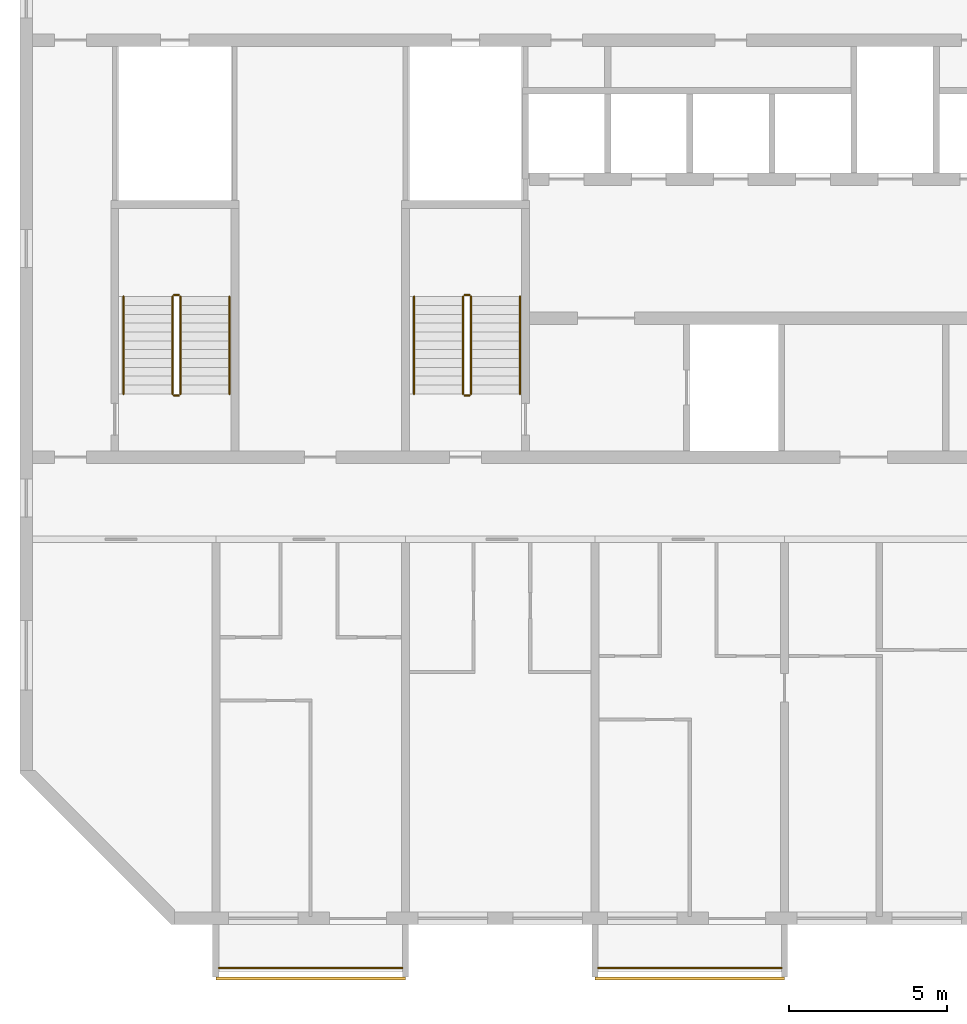
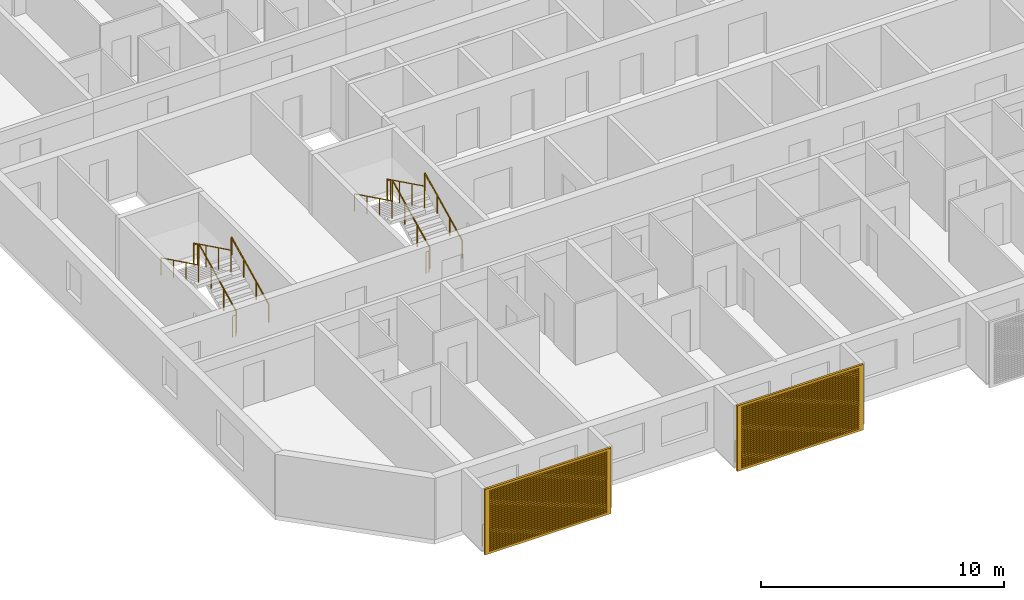
# One storey, part 13 of 27: 14 railings, 2 shading devices.
"""IFC4 building model written with IfcOpenShell, lengths in metres."""

from ifc_helpers import new_model, si_unit, direction, frame, origin, origin_2d, place, context, subcontext, project, spatial, polyline, circle, outline, extrude, source, transform, mapped, material, material_profile, profile_set, type_object, element, save


model = new_model("IFC4")

# Units and contexts
model_context = context("Model", 3, precision=1e-05, world=origin(), true_north=direction((0.0, 1.0)))
body_context = subcontext(model_context, "Body", "Model", "MODEL_VIEW")
ifc_project = project(units=[si_unit("LENGTHUNIT", "METRE"), si_unit("AREAUNIT", "SQUARE_METRE"), si_unit("VOLUMEUNIT", "CUBIC_METRE"), si_unit("PLANEANGLEUNIT", "RADIAN"), si_unit("MASSUNIT", "GRAM", prefix="KILO")], contexts=[model_context])

# Site, building, storey
site_placement = place(None, origin())
site = spatial("IfcSite", under=ifc_project, at=site_placement, CompositionType="ELEMENT")
building_placement = place(site_placement, origin())
building = spatial("IfcBuilding", under=site, at=building_placement, Name="Poui Terraces", CompositionType="ELEMENT")
storey_placement = place(building_placement, frame((0.0, 0.0, 195.0)))
storey = spatial("IfcBuildingStorey", under=building, at=storey_placement, Name="L54", CompositionType="ELEMENT", Elevation=195.0)

# Railings
ifc_material_1 = material(Name="Painted steel fretwork", Category="steel")
railing_type_1 = type_object("IfcRailingType", Name="BALCONY GUARD 1100", PredefinedType="GUARDRAIL", material=ifc_material_1)
for number, where, name in (
    (1, (24.10009765625, -1.570068359375, 0.0), "BALCONY GUARD"),
    (2, (36.10009765625, -1.570068359375, 0.0), "BALCONY GUARD"),
):
    element("IfcRailing", number, at=place(storey_placement, frame(where)), inside=storey, type_object=railing_type_1, Name=name, PredefinedType="GUARDRAIL", context=body_context, shape_type="SweptSolid", body=[
        extrude(circle(Radius=0.02392578125, at=origin_2d()), frame((0.0, 0.0, 1.076171875), z_axis=(1.0, 0.0, 0.0), x_axis=(0.0, 1.0, 0.0)), (0.0, 0.0, 1.0), 5.7998046875),
        extrude(circle(Radius=0.02099609375, at=origin_2d()), origin(), (0.0, 0.0, 1.0), 1.052001953125),
        extrude(circle(Radius=0.02099609375, at=origin_2d()), frame((0.966552734375, 0.0, 0.0)), (0.0, 0.0, 1.0), 1.052001953125),
        extrude(circle(Radius=0.02099609375, at=origin_2d()), frame((1.933349609375, 0.0, 0.0)), (0.0, 0.0, 1.0), 1.052001953125),
        extrude(circle(Radius=0.02099609375, at=origin_2d()), frame((2.89990234375, 0.0, 0.0)), (0.0, 0.0, 1.0), 1.052001953125),
        extrude(circle(Radius=0.02099609375, at=origin_2d()), frame((3.866455078125, 0.0, 0.0)), (0.0, 0.0, 1.0), 1.052001953125),
        extrude(circle(Radius=0.02099609375, at=origin_2d()), frame((4.833251953125, 0.0, 0.0)), (0.0, 0.0, 1.0), 1.052001953125),
        extrude(circle(Radius=0.02099609375, at=origin_2d()), frame((5.7998046875, 0.0, 0.0)), (0.0, 0.0, 1.0), 1.052001953125),
    ])
ifc_material_2 = material(Name="Galvanised steel balustrade", Category="steel")
railing_type_2 = type_object("IfcRailingType", Name="STAIR GUARD 1100", PredefinedType="GUARDRAIL", material=ifc_material_2)
railing_1_placement = place(storey_placement, frame((32.074951171875, 16.60009765625, 0.137451171875)))
element("IfcRailing", 3, at=railing_1_placement, inside=storey, type_object=railing_type_2, Name="L54 ST-CW stair guard 1", PredefinedType="GUARDRAIL", context=body_context, shape_type="SweptSolid", body=[
    extrude(circle(Radius=0.02392578125, at=origin_2d()), frame((0.0, 0.0, 1.076171875), z_axis=(0.0, 0.897606190399, 0.440798283751), x_axis=(-1.0, 0.0, 0.0)), (0.0, 0.0, 1.0), 3.43115234375),
    extrude(circle(Radius=0.02099609375, at=origin_2d()), origin(), (0.0, 0.0, 1.0), 1.052001953125),
    extrude(circle(Radius=0.02099609375, at=origin_2d()), frame((0.0, 1.026611328125, 0.504150390625)), (0.0, 0.0, 1.0), 1.052001953125),
    extrude(circle(Radius=0.02099609375, at=origin_2d()), frame((0.0, 2.05322265625, 1.00830078125)), (0.0, 0.0, 1.0), 1.052001953125),
    extrude(circle(Radius=0.02099609375, at=origin_2d()), frame((0.0, 3.079833984375, 1.512451171875)), (0.0, 0.0, 1.0), 1.052001953125),
])
railing_2_placement = place(storey_placement, frame((32.02490234375, 19.72998046875, 1.64990234375)))
element("IfcRailing", 4, at=railing_2_placement, inside=storey, type_object=railing_type_2, Name="L54 ST-CW stair guard 2", PredefinedType="GUARDRAIL", context=body_context, shape_type="SweptSolid", body=[
    extrude(circle(Radius=0.02392578125, at=origin_2d()), frame((0.0, 0.0, 1.076171875), z_axis=(-1.0, 0.0, 0.0), x_axis=(0.0, -1.0, 0.0)), (0.0, 0.0, 1.0), 0.14990234375),
    extrude(circle(Radius=0.02099609375, at=origin_2d()), origin(), (0.0, 0.0, 1.0), 1.052001953125),
    extrude(circle(Radius=0.02099609375, at=origin_2d()), frame((-0.14990234375, 0.0, 0.0)), (0.0, 0.0, 1.0), 1.052001953125),
])
railing_3_placement = place(storey_placement, frame((31.824951171875, 19.679931640625, 1.78759765625)))
element("IfcRailing", 5, at=railing_3_placement, inside=storey, type_object=railing_type_2, Name="L54 ST-CW stair guard 3", PredefinedType="GUARDRAIL", context=body_context, shape_type="SweptSolid", body=[
    extrude(circle(Radius=0.02392578125, at=origin_2d()), frame((0.0, 0.0, 1.076171875), z_axis=(0.0, -0.897606190399, 0.440798283751), x_axis=(1.0, 0.0, 0.0)), (0.0, 0.0, 1.0), 3.43115234375),
    extrude(circle(Radius=0.02099609375, at=origin_2d()), origin(), (0.0, 0.0, 1.0), 1.052001953125),
    extrude(circle(Radius=0.02099609375, at=origin_2d()), frame((0.0, -1.026611328125, 0.504150390625)), (0.0, 0.0, 1.0), 1.052001953125),
    extrude(circle(Radius=0.02099609375, at=origin_2d()), frame((0.0, -2.05322265625, 1.00830078125)), (0.0, 0.0, 1.0), 1.052001953125),
    extrude(circle(Radius=0.02099609375, at=origin_2d()), frame((0.0, -3.079833984375, 1.512451171875)), (0.0, 0.0, 1.0), 1.052001953125),
])
railing_4_placement = place(storey_placement, frame((32.02490234375, 16.550048828125, 0.0)))
element("IfcRailing", 6, at=railing_4_placement, inside=storey, type_object=railing_type_2, Name="L54 ST-CW stair guard 4", PredefinedType="GUARDRAIL", context=body_context, shape_type="SweptSolid", body=[
    extrude(circle(Radius=0.02392578125, at=origin_2d()), frame((0.0, 0.0, 1.076171875), z_axis=(-1.0, 0.0, 0.0), x_axis=(0.0, -1.0, 0.0)), (0.0, 0.0, 1.0), 0.14990234375),
    extrude(circle(Radius=0.02099609375, at=origin_2d()), origin(), (0.0, 0.0, 1.0), 1.052001953125),
    extrude(circle(Radius=0.02099609375, at=origin_2d()), frame((-0.14990234375, 0.0, 0.0)), (0.0, 0.0, 1.0), 1.052001953125),
])
railing_5_placement = place(storey_placement, frame((22.875, 16.60009765625, 0.137451171875)))
element("IfcRailing", 7, at=railing_5_placement, inside=storey, type_object=railing_type_2, Name="L54 ST-W stair guard 1", PredefinedType="GUARDRAIL", context=body_context, shape_type="SweptSolid", body=[
    extrude(circle(Radius=0.02392578125, at=origin_2d()), frame((0.0, 0.0, 1.076171875), z_axis=(0.0, 0.897606190399, 0.440798283751), x_axis=(-1.0, 0.0, 0.0)), (0.0, 0.0, 1.0), 3.43115234375),
    extrude(circle(Radius=0.02099609375, at=origin_2d()), origin(), (0.0, 0.0, 1.0), 1.052001953125),
    extrude(circle(Radius=0.02099609375, at=origin_2d()), frame((0.0, 1.026611328125, 0.504150390625)), (0.0, 0.0, 1.0), 1.052001953125),
    extrude(circle(Radius=0.02099609375, at=origin_2d()), frame((0.0, 2.05322265625, 1.00830078125)), (0.0, 0.0, 1.0), 1.052001953125),
    extrude(circle(Radius=0.02099609375, at=origin_2d()), frame((0.0, 3.079833984375, 1.512451171875)), (0.0, 0.0, 1.0), 1.052001953125),
])
railing_6_placement = place(storey_placement, frame((22.824951171875, 19.72998046875, 1.64990234375)))
element("IfcRailing", 8, at=railing_6_placement, inside=storey, type_object=railing_type_2, Name="L54 ST-W stair guard 2", PredefinedType="GUARDRAIL", context=body_context, shape_type="SweptSolid", body=[
    extrude(circle(Radius=0.02392578125, at=origin_2d()), frame((0.0, 0.0, 1.076171875), z_axis=(-1.0, 0.0, 0.0), x_axis=(0.0, -1.0, 0.0)), (0.0, 0.0, 1.0), 0.14990234375),
    extrude(circle(Radius=0.02099609375, at=origin_2d()), origin(), (0.0, 0.0, 1.0), 1.052001953125),
    extrude(circle(Radius=0.02099609375, at=origin_2d()), frame((-0.14990234375, 0.0, 0.0)), (0.0, 0.0, 1.0), 1.052001953125),
])
railing_7_placement = place(storey_placement, frame((22.625, 19.679931640625, 1.78759765625)))
element("IfcRailing", 9, at=railing_7_placement, inside=storey, type_object=railing_type_2, Name="L54 ST-W stair guard 3", PredefinedType="GUARDRAIL", context=body_context, shape_type="SweptSolid", body=[
    extrude(circle(Radius=0.02392578125, at=origin_2d()), frame((0.0, 0.0, 1.076171875), z_axis=(0.0, -0.897606190399, 0.440798283751), x_axis=(1.0, 0.0, 0.0)), (0.0, 0.0, 1.0), 3.43115234375),
    extrude(circle(Radius=0.02099609375, at=origin_2d()), origin(), (0.0, 0.0, 1.0), 1.052001953125),
    extrude(circle(Radius=0.02099609375, at=origin_2d()), frame((0.0, -1.026611328125, 0.504150390625)), (0.0, 0.0, 1.0), 1.052001953125),
    extrude(circle(Radius=0.02099609375, at=origin_2d()), frame((0.0, -2.05322265625, 1.00830078125)), (0.0, 0.0, 1.0), 1.052001953125),
    extrude(circle(Radius=0.02099609375, at=origin_2d()), frame((0.0, -3.079833984375, 1.512451171875)), (0.0, 0.0, 1.0), 1.052001953125),
])
railing_8_placement = place(storey_placement, frame((22.824951171875, 16.550048828125, 0.0)))
element("IfcRailing", 10, at=railing_8_placement, inside=storey, type_object=railing_type_2, Name="L54 ST-W stair guard 4", PredefinedType="GUARDRAIL", context=body_context, shape_type="SweptSolid", body=[
    extrude(circle(Radius=0.02392578125, at=origin_2d()), frame((0.0, 0.0, 1.076171875), z_axis=(-1.0, 0.0, 0.0), x_axis=(0.0, -1.0, 0.0)), (0.0, 0.0, 1.0), 0.14990234375),
    extrude(circle(Radius=0.02099609375, at=origin_2d()), origin(), (0.0, 0.0, 1.0), 1.052001953125),
    extrude(circle(Radius=0.02099609375, at=origin_2d()), frame((-0.14990234375, 0.0, 0.0)), (0.0, 0.0, 1.0), 1.052001953125),
])
ifc_material_3 = material(Name="Stainless steel handrail", Category="steel")
railing_type_3 = type_object("IfcRailingType", Name="STAIR HANDRAIL 900", PredefinedType="HANDRAIL", material=ifc_material_3)
railing_9_placement = place(storey_placement, frame((33.625, 16.60009765625, 0.137451171875)))
element("IfcRailing", 11, at=railing_9_placement, inside=storey, type_object=railing_type_3, Name="L54 ST-CW stair handrail 1", PredefinedType="HANDRAIL", context=body_context, shape_type="SweptSolid", body=[
    extrude(circle(Radius=0.02392578125, at=origin_2d()), frame((0.0, 0.0, 0.8759765625), z_axis=(0.0, 0.897606190399, 0.440798283751), x_axis=(-1.0, 0.0, 0.0)), (0.0, 0.0, 1.0), 3.43115234375),
    extrude(circle(Radius=0.02099609375, at=origin_2d()), origin(), (0.0, 0.0, 1.0), 0.851806640625),
    extrude(circle(Radius=0.02099609375, at=origin_2d()), frame((0.0, 1.026611328125, 0.504150390625)), (0.0, 0.0, 1.0), 0.851806640625),
    extrude(circle(Radius=0.02099609375, at=origin_2d()), frame((0.0, 2.05322265625, 1.00830078125)), (0.0, 0.0, 1.0), 0.851806640625),
    extrude(circle(Radius=0.02099609375, at=origin_2d()), frame((0.0, 3.079833984375, 1.512451171875)), (0.0, 0.0, 1.0), 0.851806640625),
])
railing_10_placement = place(storey_placement, frame((30.27490234375, 19.679931640625, 1.78759765625)))
element("IfcRailing", 12, at=railing_10_placement, inside=storey, type_object=railing_type_3, Name="L54 ST-CW stair handrail 2", PredefinedType="HANDRAIL", context=body_context, shape_type="SweptSolid", body=[
    extrude(circle(Radius=0.02392578125, at=origin_2d()), frame((0.0, 0.0, 0.8759765625), z_axis=(0.0, -0.897606190399, 0.440798283751), x_axis=(1.0, 0.0, 0.0)), (0.0, 0.0, 1.0), 3.43115234375),
    extrude(circle(Radius=0.02099609375, at=origin_2d()), origin(), (0.0, 0.0, 1.0), 0.851806640625),
    extrude(circle(Radius=0.02099609375, at=origin_2d()), frame((0.0, -1.026611328125, 0.504150390625)), (0.0, 0.0, 1.0), 0.851806640625),
    extrude(circle(Radius=0.02099609375, at=origin_2d()), frame((0.0, -2.05322265625, 1.00830078125)), (0.0, 0.0, 1.0), 0.851806640625),
    extrude(circle(Radius=0.02099609375, at=origin_2d()), frame((0.0, -3.079833984375, 1.512451171875)), (0.0, 0.0, 1.0), 0.851806640625),
])
railing_11_placement = place(storey_placement, frame((24.425048828125, 16.60009765625, 0.137451171875)))
element("IfcRailing", 13, at=railing_11_placement, inside=storey, type_object=railing_type_3, Name="L54 ST-W stair handrail 1", PredefinedType="HANDRAIL", context=body_context, shape_type="SweptSolid", body=[
    extrude(circle(Radius=0.02392578125, at=origin_2d()), frame((0.0, 0.0, 0.8759765625), z_axis=(0.0, 0.897606190399, 0.440798283751), x_axis=(-1.0, 0.0, 0.0)), (0.0, 0.0, 1.0), 3.43115234375),
    extrude(circle(Radius=0.02099609375, at=origin_2d()), origin(), (0.0, 0.0, 1.0), 0.851806640625),
    extrude(circle(Radius=0.02099609375, at=origin_2d()), frame((0.0, 1.026611328125, 0.504150390625)), (0.0, 0.0, 1.0), 0.851806640625),
    extrude(circle(Radius=0.02099609375, at=origin_2d()), frame((0.0, 2.05322265625, 1.00830078125)), (0.0, 0.0, 1.0), 0.851806640625),
    extrude(circle(Radius=0.02099609375, at=origin_2d()), frame((0.0, 3.079833984375, 1.512451171875)), (0.0, 0.0, 1.0), 0.851806640625),
])
railing_12_placement = place(storey_placement, frame((21.074951171875, 19.679931640625, 1.78759765625)))
element("IfcRailing", 14, at=railing_12_placement, inside=storey, type_object=railing_type_3, Name="L54 ST-W stair handrail 2", PredefinedType="HANDRAIL", context=body_context, shape_type="SweptSolid", body=[
    extrude(circle(Radius=0.02392578125, at=origin_2d()), frame((0.0, 0.0, 0.8759765625), z_axis=(0.0, -0.897606190399, 0.440798283751), x_axis=(1.0, 0.0, 0.0)), (0.0, 0.0, 1.0), 3.43115234375),
    extrude(circle(Radius=0.02099609375, at=origin_2d()), origin(), (0.0, 0.0, 1.0), 0.851806640625),
    extrude(circle(Radius=0.02099609375, at=origin_2d()), frame((0.0, -1.026611328125, 0.504150390625)), (0.0, 0.0, 1.0), 0.851806640625),
    extrude(circle(Radius=0.02099609375, at=origin_2d()), frame((0.0, -2.05322265625, 1.00830078125)), (0.0, 0.0, 1.0), 0.851806640625),
    extrude(circle(Radius=0.02099609375, at=origin_2d()), frame((0.0, -3.079833984375, 1.512451171875)), (0.0, 0.0, 1.0), 0.851806640625),
])

# Shading devices
ifc_material_4 = material(Name="Aluminium louvre", Category="aluminium")
ifc_material_profile = material_profile(ifc_material_4, outline(polyline([(-3.0, -1.64990234375), (3.0, -1.64990234375), (3.0, 1.64990234375), (-3.0, 1.64990234375), (-3.0, -1.64990234375)]), holes=[polyline([(-2.800048828125, -1.530029296875), (2.800048828125, -1.530029296875), (2.800048828125, -1.469970703125), (-2.800048828125, -1.469970703125), (-2.800048828125, -1.530029296875)]), polyline([(-2.800048828125, -1.429931640625), (2.800048828125, -1.429931640625), (2.800048828125, -1.3701171875), (-2.800048828125, -1.3701171875), (-2.800048828125, -1.429931640625)]), polyline([(-2.800048828125, -1.330078125), (2.800048828125, -1.330078125), (2.800048828125, -1.27001953125), (-2.800048828125, -1.27001953125), (-2.800048828125, -1.330078125)]), polyline([(-2.800048828125, -1.22998046875), (2.800048828125, -1.22998046875), (2.800048828125, -1.169921875), (-2.800048828125, -1.169921875), (-2.800048828125, -1.22998046875)]), polyline([(-2.800048828125, -1.1298828125), (2.800048828125, -1.1298828125), (2.800048828125, -1.070068359375), (-2.800048828125, -1.070068359375), (-2.800048828125, -1.1298828125)]), polyline([(-2.800048828125, -1.030029296875), (2.800048828125, -1.030029296875), (2.800048828125, -0.969970703125), (-2.800048828125, -0.969970703125), (-2.800048828125, -1.030029296875)]), polyline([(-2.800048828125, -0.929931640625), (2.800048828125, -0.929931640625), (2.800048828125, -0.8701171875), (-2.800048828125, -0.8701171875), (-2.800048828125, -0.929931640625)]), polyline([(-2.800048828125, -0.830078125), (2.800048828125, -0.830078125), (2.800048828125, -0.77001953125), (-2.800048828125, -0.77001953125), (-2.800048828125, -0.830078125)]), polyline([(-2.800048828125, -0.72998046875), (2.800048828125, -0.72998046875), (2.800048828125, -0.669921875), (-2.800048828125, -0.669921875), (-2.800048828125, -0.72998046875)]), polyline([(-2.800048828125, -0.6298828125), (2.800048828125, -0.6298828125), (2.800048828125, -0.570068359375), (-2.800048828125, -0.570068359375), (-2.800048828125, -0.6298828125)]), polyline([(-2.800048828125, -0.530029296875), (2.800048828125, -0.530029296875), (2.800048828125, -0.469970703125), (-2.800048828125, -0.469970703125), (-2.800048828125, -0.530029296875)]), polyline([(-2.800048828125, -0.429931640625), (2.800048828125, -0.429931640625), (2.800048828125, -0.3701171875), (-2.800048828125, -0.3701171875), (-2.800048828125, -0.429931640625)]), polyline([(-2.800048828125, -0.330078125), (2.800048828125, -0.330078125), (2.800048828125, -0.27001953125), (-2.800048828125, -0.27001953125), (-2.800048828125, -0.330078125)]), polyline([(-2.800048828125, -0.22998046875), (2.800048828125, -0.22998046875), (2.800048828125, -0.169921875), (-2.800048828125, -0.169921875), (-2.800048828125, -0.22998046875)]), polyline([(-2.800048828125, -0.1298828125), (2.800048828125, -0.1298828125), (2.800048828125, -0.070068359375), (-2.800048828125, -0.070068359375), (-2.800048828125, -0.1298828125)]), polyline([(-2.800048828125, -0.030029296875), (2.800048828125, -0.030029296875), (2.800048828125, 0.030029296875), (-2.800048828125, 0.030029296875), (-2.800048828125, -0.030029296875)]), polyline([(-2.800048828125, 0.070068359375), (2.800048828125, 0.070068359375), (2.800048828125, 0.1298828125), (-2.800048828125, 0.1298828125), (-2.800048828125, 0.070068359375)]), polyline([(-2.800048828125, 0.169921875), (2.800048828125, 0.169921875), (2.800048828125, 0.22998046875), (-2.800048828125, 0.22998046875), (-2.800048828125, 0.169921875)]), polyline([(-2.800048828125, 0.27001953125), (2.800048828125, 0.27001953125), (2.800048828125, 0.330078125), (-2.800048828125, 0.330078125), (-2.800048828125, 0.27001953125)]), polyline([(-2.800048828125, 0.3701171875), (2.800048828125, 0.3701171875), (2.800048828125, 0.429931640625), (-2.800048828125, 0.429931640625), (-2.800048828125, 0.3701171875)]), polyline([(-2.800048828125, 0.469970703125), (2.800048828125, 0.469970703125), (2.800048828125, 0.530029296875), (-2.800048828125, 0.530029296875), (-2.800048828125, 0.469970703125)]), polyline([(-2.800048828125, 0.570068359375), (2.800048828125, 0.570068359375), (2.800048828125, 0.6298828125), (-2.800048828125, 0.6298828125), (-2.800048828125, 0.570068359375)]), polyline([(-2.800048828125, 0.669921875), (2.800048828125, 0.669921875), (2.800048828125, 0.72998046875), (-2.800048828125, 0.72998046875), (-2.800048828125, 0.669921875)]), polyline([(-2.800048828125, 0.77001953125), (2.800048828125, 0.77001953125), (2.800048828125, 0.830078125), (-2.800048828125, 0.830078125), (-2.800048828125, 0.77001953125)]), polyline([(-2.800048828125, 0.8701171875), (2.800048828125, 0.8701171875), (2.800048828125, 0.929931640625), (-2.800048828125, 0.929931640625), (-2.800048828125, 0.8701171875)]), polyline([(-2.800048828125, 0.969970703125), (2.800048828125, 0.969970703125), (2.800048828125, 1.030029296875), (-2.800048828125, 1.030029296875), (-2.800048828125, 0.969970703125)]), polyline([(-2.800048828125, 1.070068359375), (2.800048828125, 1.070068359375), (2.800048828125, 1.1298828125), (-2.800048828125, 1.1298828125), (-2.800048828125, 1.070068359375)]), polyline([(-2.800048828125, 1.169921875), (2.800048828125, 1.169921875), (2.800048828125, 1.22998046875), (-2.800048828125, 1.22998046875), (-2.800048828125, 1.169921875)]), polyline([(-2.800048828125, 1.27001953125), (2.800048828125, 1.27001953125), (2.800048828125, 1.330078125), (-2.800048828125, 1.330078125), (-2.800048828125, 1.27001953125)]), polyline([(-2.800048828125, 1.3701171875), (2.800048828125, 1.3701171875), (2.800048828125, 1.429931640625), (-2.800048828125, 1.429931640625), (-2.800048828125, 1.3701171875)]), polyline([(-2.800048828125, 1.469970703125), (2.800048828125, 1.469970703125), (2.800048828125, 1.530029296875), (-2.800048828125, 1.530029296875), (-2.800048828125, 1.469970703125)])]), Name="JALOUSIE LOUVRE SHUTTER 6000X3300")
ifc_profile_set = profile_set([ifc_material_profile], Name="Aluminium louvre")
shading_device_type = type_object("IfcShadingDeviceType", Name="JALOUSIE LOUVRE SHUTTER 6000X3300", PredefinedType="JALOUSIE", material=ifc_profile_set)
shared_shape = source(origin(), body_context, "Body", "SweptSolid", [
    extrude(outline(polyline([(-3.0, -1.64990234375), (3.0, -1.64990234375), (3.0, 1.64990234375), (-3.0, 1.64990234375), (-3.0, -1.64990234375)]), holes=[polyline([(-2.800048828125, -1.530029296875), (2.800048828125, -1.530029296875), (2.800048828125, -1.469970703125), (-2.800048828125, -1.469970703125), (-2.800048828125, -1.530029296875)]), polyline([(-2.800048828125, -1.429931640625), (2.800048828125, -1.429931640625), (2.800048828125, -1.3701171875), (-2.800048828125, -1.3701171875), (-2.800048828125, -1.429931640625)]), polyline([(-2.800048828125, -1.330078125), (2.800048828125, -1.330078125), (2.800048828125, -1.27001953125), (-2.800048828125, -1.27001953125), (-2.800048828125, -1.330078125)]), polyline([(-2.800048828125, -1.22998046875), (2.800048828125, -1.22998046875), (2.800048828125, -1.169921875), (-2.800048828125, -1.169921875), (-2.800048828125, -1.22998046875)]), polyline([(-2.800048828125, -1.1298828125), (2.800048828125, -1.1298828125), (2.800048828125, -1.070068359375), (-2.800048828125, -1.070068359375), (-2.800048828125, -1.1298828125)]), polyline([(-2.800048828125, -1.030029296875), (2.800048828125, -1.030029296875), (2.800048828125, -0.969970703125), (-2.800048828125, -0.969970703125), (-2.800048828125, -1.030029296875)]), polyline([(-2.800048828125, -0.929931640625), (2.800048828125, -0.929931640625), (2.800048828125, -0.8701171875), (-2.800048828125, -0.8701171875), (-2.800048828125, -0.929931640625)]), polyline([(-2.800048828125, -0.830078125), (2.800048828125, -0.830078125), (2.800048828125, -0.77001953125), (-2.800048828125, -0.77001953125), (-2.800048828125, -0.830078125)]), polyline([(-2.800048828125, -0.72998046875), (2.800048828125, -0.72998046875), (2.800048828125, -0.669921875), (-2.800048828125, -0.669921875), (-2.800048828125, -0.72998046875)]), polyline([(-2.800048828125, -0.6298828125), (2.800048828125, -0.6298828125), (2.800048828125, -0.570068359375), (-2.800048828125, -0.570068359375), (-2.800048828125, -0.6298828125)]), polyline([(-2.800048828125, -0.530029296875), (2.800048828125, -0.530029296875), (2.800048828125, -0.469970703125), (-2.800048828125, -0.469970703125), (-2.800048828125, -0.530029296875)]), polyline([(-2.800048828125, -0.429931640625), (2.800048828125, -0.429931640625), (2.800048828125, -0.3701171875), (-2.800048828125, -0.3701171875), (-2.800048828125, -0.429931640625)]), polyline([(-2.800048828125, -0.330078125), (2.800048828125, -0.330078125), (2.800048828125, -0.27001953125), (-2.800048828125, -0.27001953125), (-2.800048828125, -0.330078125)]), polyline([(-2.800048828125, -0.22998046875), (2.800048828125, -0.22998046875), (2.800048828125, -0.169921875), (-2.800048828125, -0.169921875), (-2.800048828125, -0.22998046875)]), polyline([(-2.800048828125, -0.1298828125), (2.800048828125, -0.1298828125), (2.800048828125, -0.070068359375), (-2.800048828125, -0.070068359375), (-2.800048828125, -0.1298828125)]), polyline([(-2.800048828125, -0.030029296875), (2.800048828125, -0.030029296875), (2.800048828125, 0.030029296875), (-2.800048828125, 0.030029296875), (-2.800048828125, -0.030029296875)]), polyline([(-2.800048828125, 0.070068359375), (2.800048828125, 0.070068359375), (2.800048828125, 0.1298828125), (-2.800048828125, 0.1298828125), (-2.800048828125, 0.070068359375)]), polyline([(-2.800048828125, 0.169921875), (2.800048828125, 0.169921875), (2.800048828125, 0.22998046875), (-2.800048828125, 0.22998046875), (-2.800048828125, 0.169921875)]), polyline([(-2.800048828125, 0.27001953125), (2.800048828125, 0.27001953125), (2.800048828125, 0.330078125), (-2.800048828125, 0.330078125), (-2.800048828125, 0.27001953125)]), polyline([(-2.800048828125, 0.3701171875), (2.800048828125, 0.3701171875), (2.800048828125, 0.429931640625), (-2.800048828125, 0.429931640625), (-2.800048828125, 0.3701171875)]), polyline([(-2.800048828125, 0.469970703125), (2.800048828125, 0.469970703125), (2.800048828125, 0.530029296875), (-2.800048828125, 0.530029296875), (-2.800048828125, 0.469970703125)]), polyline([(-2.800048828125, 0.570068359375), (2.800048828125, 0.570068359375), (2.800048828125, 0.6298828125), (-2.800048828125, 0.6298828125), (-2.800048828125, 0.570068359375)]), polyline([(-2.800048828125, 0.669921875), (2.800048828125, 0.669921875), (2.800048828125, 0.72998046875), (-2.800048828125, 0.72998046875), (-2.800048828125, 0.669921875)]), polyline([(-2.800048828125, 0.77001953125), (2.800048828125, 0.77001953125), (2.800048828125, 0.830078125), (-2.800048828125, 0.830078125), (-2.800048828125, 0.77001953125)]), polyline([(-2.800048828125, 0.8701171875), (2.800048828125, 0.8701171875), (2.800048828125, 0.929931640625), (-2.800048828125, 0.929931640625), (-2.800048828125, 0.8701171875)]), polyline([(-2.800048828125, 0.969970703125), (2.800048828125, 0.969970703125), (2.800048828125, 1.030029296875), (-2.800048828125, 1.030029296875), (-2.800048828125, 0.969970703125)]), polyline([(-2.800048828125, 1.070068359375), (2.800048828125, 1.070068359375), (2.800048828125, 1.1298828125), (-2.800048828125, 1.1298828125), (-2.800048828125, 1.070068359375)]), polyline([(-2.800048828125, 1.169921875), (2.800048828125, 1.169921875), (2.800048828125, 1.22998046875), (-2.800048828125, 1.22998046875), (-2.800048828125, 1.169921875)]), polyline([(-2.800048828125, 1.27001953125), (2.800048828125, 1.27001953125), (2.800048828125, 1.330078125), (-2.800048828125, 1.330078125), (-2.800048828125, 1.27001953125)]), polyline([(-2.800048828125, 1.3701171875), (2.800048828125, 1.3701171875), (2.800048828125, 1.429931640625), (-2.800048828125, 1.429931640625), (-2.800048828125, 1.3701171875)]), polyline([(-2.800048828125, 1.469970703125), (2.800048828125, 1.469970703125), (2.800048828125, 1.530029296875), (-2.800048828125, 1.530029296875), (-2.800048828125, 1.469970703125)])]), origin(), (0.0, 0.0, 1.0), 0.099853515625),
])
for number, where, z_axis, x_axis, name in (
    (15, (27.0, -1.85009765625, 1.449951171875), (0.0, -1.0, 0.0), (1.0, 0.0, 0.0), "JALOUSIE LOUVRE SHUTTER"),
    (16, (39.0, -1.85009765625, 1.449951171875), (0.0, -1.0, 0.0), (1.0, 0.0, 0.0), "JALOUSIE LOUVRE SHUTTER"),
):
    element("IfcShadingDevice", number, at=place(storey_placement, frame(where, z_axis=z_axis, x_axis=x_axis)), inside=storey, type_object=shading_device_type, Name=name, PredefinedType="JALOUSIE", context=body_context, shape_type="MappedRepresentation", body=[
        mapped(shared_shape, transform((0.0, 0.0, 0.0))),
    ])

save(model, "model.ifc")
